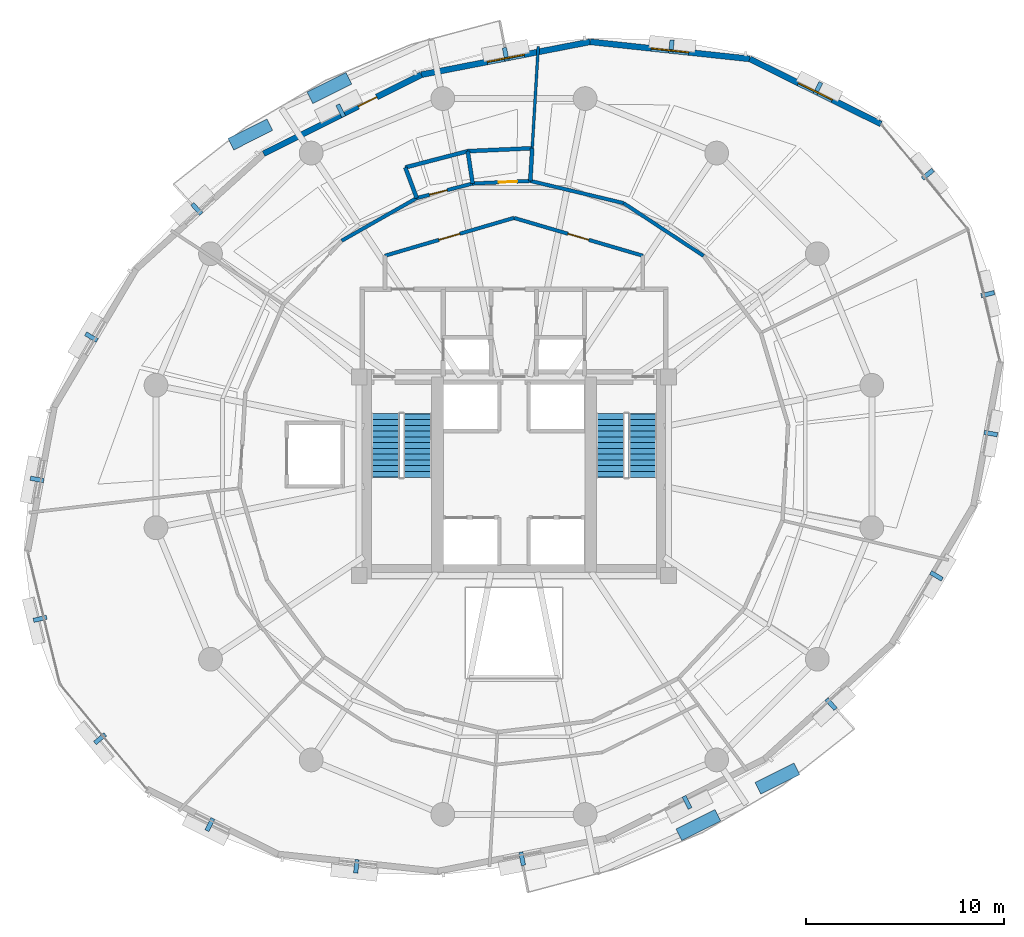
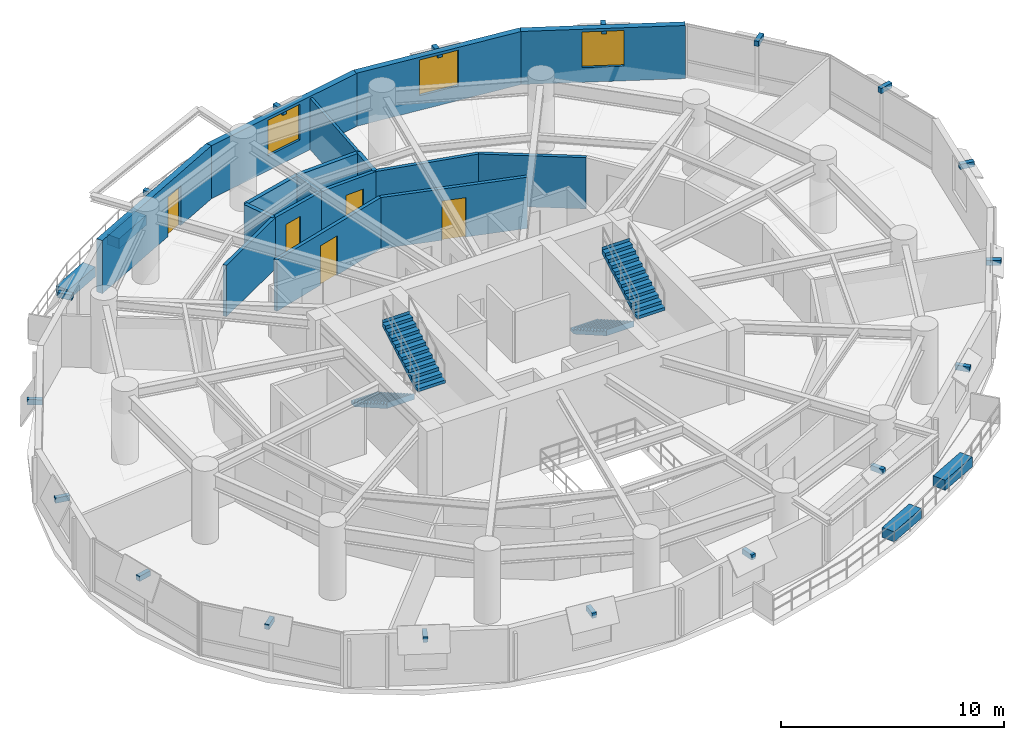
# One storey, part 12 of 14: 22 discrete accessories, 17 walls, 5 doors, 4 stair flights, 3 windows, 8 openings, 2 elements without a shape of their own.
"""IFC4 building model written with IfcOpenShell, lengths in metres."""

from ifc_helpers import new_model, si_unit, direction, frame, frame_2d, origin, origin_2d, place, context, subcontext, project, spatial, polyline, rectangle, outline, extrude, material, layer, layer_set, type_object, element, fill, aggregate, save


model = new_model("IFC4")

# Units and contexts
model_context = context("Model", 3, precision=1e-05, world=origin(), true_north=direction((0.0, 1.0)))
body_context = subcontext(model_context, "Body", "Model", "MODEL_VIEW")
ifc_project = project(units=[si_unit("LENGTHUNIT", "METRE"), si_unit("AREAUNIT", "SQUARE_METRE"), si_unit("VOLUMEUNIT", "CUBIC_METRE"), si_unit("PLANEANGLEUNIT", "RADIAN"), si_unit("MASSUNIT", "GRAM", prefix="KILO"), si_unit("THERMODYNAMICTEMPERATUREUNIT", "KELVIN"), si_unit("POWERUNIT", "WATT")], contexts=[model_context])

# Site, building, storey
site_placement = place(None, origin())
site = spatial("IfcSite", under=ifc_project, at=site_placement, CompositionType="ELEMENT")
building_placement = place(site_placement, origin())
building = spatial("IfcBuilding", under=site, at=building_placement, Name="Ocrelia Relay Tower", CompositionType="ELEMENT")
storey_placement = place(building_placement, frame((0.0, 0.0, 145.800048828125)))
storey = spatial("IfcBuildingStorey", under=building, at=storey_placement, Name="L34", CompositionType="ELEMENT", Elevation=145.800048828125)

# Wall, opening, door
ifc_material_1 = material(Name="Gypsum Fireboard Partition EI60", Category="gypsum")
ifc_layer_1 = layer(ifc_material_1, 0.179931640625, Name="Gypsum Fireboard Partition EI60")
ifc_layer_set_1 = layer_set([ifc_layer_1], Name="Gypsum Fireboard Partition EI60")
wall_type_1 = type_object("IfcWallType", Name="W-CORR-EI60-180", PredefinedType="PARTITIONING", material=ifc_layer_set_1)
wall_1_placement = place(storey_placement, frame((27.5, 36.122802734375, 0.0), z_axis=(0.0, 0.0, 1.0), x_axis=(0.959546654541, 0.281549671923, 0.0)))
wall_1 = element("IfcWall", 1, at=wall_1_placement, inside=storey, type_object=wall_type_1, Name="L34 North Smoke Lobby W Screen Wall", PredefinedType="PARTITIONING", context=body_context, shape_type="SweptSolid", body=[
    extrude(rectangle(XDim=6.77392578125, YDim=0.179931640625, at=frame_2d((3.386962890625, 0.0))), origin(), (0.0, 0.0, 1.0), 2.800048828125),
])
opening_1_placement = place(wall_1_placement, frame((2.8369140625, 0.0, 0.0)))
opening_1 = element("IfcOpeningElement", 2, at=opening_1_placement, cuts=wall_1, Name="Opening D-FD60", PredefinedType="OPENING", context=body_context, shape_type="SweptSolid", body=[
    extrude(rectangle(XDim=1.10009765625, YDim=2.14990234375, at=frame_2d((0.550048828125, 1.074951171875))), frame((0.0, 0.10009765625, 0.0), z_axis=(0.0, -1.0, 0.0), x_axis=(1.0, 0.0, 0.0)), (0.0, 0.0, 1.0), 0.199951171875),
])
ifc_material_2 = material(Name="Timber-core 60-min acoustic fire door", Category="wood")
door_type_1 = type_object("IfcDoorType", Name="DR-LOBBY-FD60-1100", OperationType="NOTDEFINED", PredefinedType="DOOR", material=ifc_material_2)
door_1_placement = place(opening_1_placement, origin())
door_1 = element("IfcDoor", 3, at=door_1_placement, inside=storey, type_object=door_type_1, Name="L34 North Smoke Lobby W Fire Door", OperationType="SINGLE_SWING_RIGHT", OverallHeight=2.14990234375, OverallWidth=1.10009765625, PredefinedType="DOOR", context=body_context, shape_type="SweptSolid", body=[
    extrude(rectangle(XDim=1.10009765625, YDim=2.14990234375, at=frame_2d((0.550048828125, 1.074951171875))), frame((0.0, 0.02490234375, 0.0), z_axis=(0.0, -1.0, 0.0), x_axis=(1.0, 0.0, 0.0)), (0.0, 0.0, 1.0), 0.050048828125),
])
fill(opening_1, door_1)

wall_2_placement = place(storey_placement, frame((34.0, 38.030029296875, 0.0), z_axis=(0.0, 0.0, 1.0), x_axis=(0.959546654541, -0.281549671923, 0.0)))
wall_2 = element("IfcWall", 4, at=wall_2_placement, inside=storey, type_object=wall_type_1, Name="L34 North Smoke Lobby E Screen Wall", PredefinedType="PARTITIONING", context=body_context, shape_type="SweptSolid", body=[
    extrude(rectangle(XDim=6.77392578125, YDim=0.179931640625, at=frame_2d((3.386962890625, 0.0))), origin(), (0.0, 0.0, 1.0), 2.800048828125),
])
opening_2_placement = place(wall_2_placement, frame((2.8369140625, 0.0, 0.0)))
opening_2 = element("IfcOpeningElement", 5, at=opening_2_placement, cuts=wall_2, Name="Opening D-FD60", PredefinedType="OPENING", context=body_context, shape_type="SweptSolid", body=[
    extrude(rectangle(XDim=1.10009765625, YDim=2.14990234375, at=frame_2d((0.550048828125, 1.074951171875))), frame((0.0, 0.10009765625, 0.0), z_axis=(0.0, -1.0, 0.0), x_axis=(1.0, 0.0, 0.0)), (0.0, 0.0, 1.0), 0.199951171875),
])
door_2_placement = place(opening_2_placement, origin())
door_2 = element("IfcDoor", 6, at=door_2_placement, inside=storey, type_object=door_type_1, Name="L34 North Smoke Lobby E Fire Door", OperationType="SINGLE_SWING_LEFT", OverallHeight=2.14990234375, OverallWidth=1.10009765625, PredefinedType="DOOR", context=body_context, shape_type="SweptSolid", body=[
    extrude(rectangle(XDim=1.10009765625, YDim=2.14990234375, at=frame_2d((0.550048828125, 1.074951171875))), frame((0.0, 0.02490234375, 0.0), z_axis=(0.0, -1.0, 0.0), x_axis=(1.0, 0.0, 0.0)), (0.0, 0.0, 1.0), 0.050048828125),
])
fill(opening_2, door_2)

wall_3_placement = place(storey_placement, frame((34.825439453125, 39.8955078125, 0.0), z_axis=(0.0, 0.0, 1.0), x_axis=(-0.998969404953, -0.045388632576, 0.0)))
wall_3 = element("IfcWall", 7, at=wall_3_placement, inside=storey, type_object=wall_type_1, Name="L34 Staff Toilet Corridor Wall", PredefinedType="PARTITIONING", context=body_context, shape_type="SweptSolid", body=[
    extrude(rectangle(XDim=2.909912109375, YDim=0.179931640625, at=frame_2d((1.455078125, 0.0))), origin(), (0.0, 0.0, 1.0), 2.800048828125),
])
opening_3_placement = place(wall_3_placement, frame((0.6689453125, 0.0, 0.0)))
opening_3 = element("IfcOpeningElement", 8, at=opening_3_placement, cuts=wall_3, Name="Opening D-WC92", PredefinedType="OPENING", context=body_context, shape_type="SweptSolid", body=[
    extrude(rectangle(XDim=0.919921875, YDim=2.10009765625, at=frame_2d((0.4599609375, 1.050048828125))), frame((0.0, 0.10009765625, 0.0), z_axis=(0.0, -1.0, 0.0), x_axis=(1.0, 0.0, 0.0)), (0.0, 0.0, 1.0), 0.199951171875),
])
ifc_material_3 = material(Name="Laminate washroom door", Category="wood")
door_type_2 = type_object("IfcDoorType", Name="DR-WC-920", OperationType="NOTDEFINED", PredefinedType="DOOR", material=ifc_material_3)
door_3_placement = place(opening_3_placement, origin())
door_3 = element("IfcDoor", 9, at=door_3_placement, inside=storey, type_object=door_type_2, Name="L34 Staff Toilet Door", OperationType="SINGLE_SWING_RIGHT", OverallHeight=2.10009765625, OverallWidth=0.919921875, PredefinedType="DOOR", context=body_context, shape_type="SweptSolid", body=[
    extrude(rectangle(XDim=0.919921875, YDim=2.10009765625, at=frame_2d((0.4599609375, 1.050048828125))), frame((0.0, 0.02490234375, 0.0), z_axis=(0.0, -1.0, 0.0), x_axis=(1.0, 0.0, 0.0)), (0.0, 0.0, 1.0), 0.050048828125),
])
fill(opening_3, door_3)

wall_4_placement = place(storey_placement, frame((31.91845703125, 39.763427734375, 0.0), z_axis=(0.0, 0.0, 1.0), x_axis=(-0.967701853081, -0.252097448505, 0.0)))
wall_4 = element("IfcWall", 10, at=wall_4_placement, inside=storey, type_object=wall_type_1, Name="L34 Accessible Toilet Corridor Wall", PredefinedType="PARTITIONING", context=body_context, shape_type="SweptSolid", body=[
    extrude(rectangle(XDim=2.91015625, YDim=0.179931640625, at=frame_2d((1.455078125, 0.0))), origin(), (0.0, 0.0, 1.0), 2.800048828125),
])
opening_4_placement = place(wall_4_placement, frame((1.321044921875, 0.0, 0.0)))
opening_4 = element("IfcOpeningElement", 11, at=opening_4_placement, cuts=wall_4, Name="Opening D-WC92", PredefinedType="OPENING", context=body_context, shape_type="SweptSolid", body=[
    extrude(rectangle(XDim=0.919921875, YDim=2.10009765625, at=frame_2d((0.4599609375, 1.050048828125))), frame((0.0, 0.10009765625, 0.0), z_axis=(0.0, -1.0, 0.0), x_axis=(1.0, 0.0, 0.0)), (0.0, 0.0, 1.0), 0.199951171875),
])
door_4_placement = place(opening_4_placement, origin())
door_4 = element("IfcDoor", 12, at=door_4_placement, inside=storey, type_object=door_type_2, Name="L34 Accessible Toilet Door", OperationType="SINGLE_SWING_LEFT", OverallHeight=2.10009765625, OverallWidth=0.919921875, PredefinedType="DOOR", context=body_context, shape_type="SweptSolid", body=[
    extrude(rectangle(XDim=0.919921875, YDim=2.10009765625, at=frame_2d((0.4599609375, 1.050048828125))), frame((0.0, 0.02490234375, 0.0), z_axis=(0.0, -1.0, 0.0), x_axis=(1.0, 0.0, 0.0)), (0.0, 0.0, 1.0), 0.050048828125),
])
fill(opening_4, door_4)

# Walls
wall_5_placement = place(storey_placement, frame((29.102294921875, 39.02978515625, 0.0), z_axis=(0.0, 0.0, 1.0), x_axis=(-0.869516749936, -0.493903453703, 0.0)))
element("IfcWall", 13, at=wall_5_placement, inside=storey, type_object=wall_type_1, Name="L34 Network Engineering Office Corridor Partition 1", PredefinedType="PARTITIONING", context=body_context, shape_type="SweptSolid", body=[
    extrude(rectangle(XDim=4.354736328125, YDim=0.179931640625, at=frame_2d((2.17724609375, 0.0))), origin(), (0.0, 0.0, 1.0), 2.800048828125),
])
wall_6_placement = place(storey_placement, frame((43.564208984375, 36.114013671875, 0.0), z_axis=(0.0, 0.0, 1.0), x_axis=(-0.834852183568, 0.550474187943, 0.0)))
element("IfcWall", 14, at=wall_6_placement, inside=storey, type_object=wall_type_1, Name="L34 Shift Staff Lounge Corridor Partition 2", PredefinedType="PARTITIONING", context=body_context, shape_type="SweptSolid", body=[
    extrude(rectangle(XDim=4.834228515625, YDim=0.179931640625, at=frame_2d((2.4169921875, 0.0))), origin(), (0.0, 0.0, 1.0), 2.800048828125),
])
wall_7_placement = place(storey_placement, frame((39.5283203125, 38.775146484375, 0.0), z_axis=(0.0, 0.0, 1.0), x_axis=(-0.972776947404, 0.231743415441, 0.0)))
element("IfcWall", 15, at=wall_7_placement, inside=storey, type_object=wall_type_1, Name="L34 Shift Staff Lounge Corridor Partition 3", PredefinedType="PARTITIONING", context=body_context, shape_type="SweptSolid", body=[
    extrude(rectangle(XDim=4.83447265625, YDim=0.179931640625, at=frame_2d((2.417236328125, 0.0))), origin(), (0.0, 0.0, 1.0), 2.800048828125),
])

# Wall, opening, window
ifc_material_4 = material(Name="Precast concrete C40/50 with oxide terracotta", Category="masonry")
ifc_layer_2 = layer(ifc_material_4, 0.300048828125, Name="Precast concrete C40/50 with oxide terracotta")
ifc_layer_set_2 = layer_set([ifc_layer_2], Name="Precast concrete C40/50 with oxide terracotta")
wall_type_2 = type_object("IfcWallType", Name="W-EXT-TERR-300", PredefinedType="SOLIDWALL", material=ifc_layer_set_2)
wall_8_placement = place(storey_placement, frame((52.50830078125, 42.765380859375, 0.0), z_axis=(0.0, 0.0, 1.0), x_axis=(-0.895870813497, 0.444314624477, 0.0)))
wall_8 = element("IfcWall", 16, at=wall_8_placement, inside=storey, type_object=wall_type_2, Name="L34 Oxide Terracotta Facade Wall 02", PredefinedType="SOLIDWALL", context=body_context, shape_type="SweptSolid", body=[
    extrude(rectangle(XDim=7.38330078125, YDim=0.300048828125, at=frame_2d((3.691650390625, 0.0))), origin(), (0.0, 0.0, 1.0), 2.89990234375),
])
opening_5_placement = place(wall_8_placement, frame((2.741943359375, 0.0, 0.800048828125)))
opening_5 = element("IfcOpeningElement", 17, at=opening_5_placement, cuts=wall_8, Name="Opening W-06", PredefinedType="OPENING", context=body_context, shape_type="SweptSolid", body=[
    extrude(rectangle(XDim=1.89990234375, YDim=1.949951171875, at=frame_2d((0.949951171875, 0.97509765625))), frame((0.0, 0.16015625, 0.0), z_axis=(0.0, -1.0, 0.0), x_axis=(1.0, 0.0, 0.0)), (0.0, 0.0, 1.0), 0.320068359375),
])
ifc_material_5 = material(Name="Clear double-glazed low-E glass", Category="glass")
window_type = type_object("IfcWindowType", Name="WIN-Z2-1900x2100", PartitioningType="DOUBLE_PANEL_VERTICAL", PredefinedType="WINDOW", material=ifc_material_5)
window_1_placement = place(opening_5_placement, origin())
window_1 = element("IfcWindow", 18, at=window_1_placement, inside=storey, type_object=window_type, Name="L34 Facade Module Window 02", OverallHeight=1.949951171875, OverallWidth=1.89990234375, PartitioningType="SINGLE_PANEL", PredefinedType="WINDOW", context=body_context, shape_type="SweptSolid", body=[
    extrude(rectangle(XDim=1.89990234375, YDim=1.949951171875, at=frame_2d((0.949951171875, 0.97509765625))), frame((0.0, 0.030029296875, 0.0), z_axis=(0.0, -1.0, 0.0), x_axis=(1.0, 0.0, 0.0)), (0.0, 0.0, 1.0), 0.06005859375),
])
fill(opening_5, window_1)

wall_9_placement = place(storey_placement, frame((45.893798828125, 46.0458984375, 0.0), z_axis=(0.0, 0.0, 1.0), x_axis=(-0.994303675946, 0.106584238983, 0.0)))
wall_9 = element("IfcWall", 19, at=wall_9_placement, inside=storey, type_object=wall_type_2, Name="L34 Oxide Terracotta Facade Wall 03", PredefinedType="SOLIDWALL", context=body_context, shape_type="SweptSolid", body=[
    extrude(rectangle(XDim=8.094970703125, YDim=0.300048828125, at=frame_2d((4.04736328125, 0.0))), origin(), (0.0, 0.0, 1.0), 2.89990234375),
])
opening_6_placement = place(wall_9_placement, frame((3.097900390625, 0.0, 0.800048828125)))
opening_6 = element("IfcOpeningElement", 20, at=opening_6_placement, cuts=wall_9, Name="Opening W-06", PredefinedType="OPENING", context=body_context, shape_type="SweptSolid", body=[
    extrude(rectangle(XDim=1.89990234375, YDim=1.949951171875, at=frame_2d((0.949951171875, 0.97509765625))), frame((0.0, 0.16015625, 0.0), z_axis=(0.0, -1.0, 0.0), x_axis=(1.0, 0.0, 0.0)), (0.0, 0.0, 1.0), 0.320068359375),
])
window_2_placement = place(opening_6_placement, origin())
window_2 = element("IfcWindow", 21, at=window_2_placement, inside=storey, type_object=window_type, Name="L34 Facade Module Window 03", OverallHeight=1.949951171875, OverallWidth=1.89990234375, PartitioningType="SINGLE_PANEL", PredefinedType="WINDOW", context=body_context, shape_type="SweptSolid", body=[
    extrude(rectangle(XDim=1.89990234375, YDim=1.949951171875, at=frame_2d((0.949951171875, 0.97509765625))), frame((0.0, 0.030029296875, 0.0), z_axis=(0.0, -1.0, 0.0), x_axis=(1.0, 0.0, 0.0)), (0.0, 0.0, 1.0), 0.06005859375),
])
fill(opening_6, window_2)

wall_10_placement = place(storey_placement, frame((37.844970703125, 46.90869140625, 0.0), z_axis=(0.0, 0.0, 1.0), x_axis=(-0.981531349689, -0.191301358011, 0.0)))
wall_10 = element("IfcWall", 22, at=wall_10_placement, inside=storey, type_object=wall_type_2, Name="L34 Oxide Terracotta Facade Wall 04", PredefinedType="SOLIDWALL", context=body_context, shape_type="SweptSolid", body=[
    extrude(rectangle(XDim=8.673095703125, YDim=0.300048828125, at=frame_2d((4.33642578125, 0.0))), origin(), (0.0, 0.0, 1.0), 2.89990234375),
])
opening_7_placement = place(wall_10_placement, frame((3.385986328125, 0.0, 0.800048828125)))
opening_7 = element("IfcOpeningElement", 23, at=opening_7_placement, cuts=wall_10, Name="Opening W-06", PredefinedType="OPENING", context=body_context, shape_type="SweptSolid", body=[
    extrude(rectangle(XDim=1.89990234375, YDim=1.949951171875, at=frame_2d((0.949951171875, 0.97509765625))), frame((0.0, 0.16015625, 0.0), z_axis=(0.0, -1.0, 0.0), x_axis=(1.0, 0.0, 0.0)), (0.0, 0.0, 1.0), 0.320068359375),
])
window_3_placement = place(opening_7_placement, origin())
window_3 = element("IfcWindow", 24, at=window_3_placement, inside=storey, type_object=window_type, Name="L34 Facade Module Window 04", OverallHeight=1.949951171875, OverallWidth=1.89990234375, PartitioningType="SINGLE_PANEL", PredefinedType="WINDOW", context=body_context, shape_type="SweptSolid", body=[
    extrude(rectangle(XDim=1.89990234375, YDim=1.949951171875, at=frame_2d((0.949951171875, 0.97509765625))), frame((0.0, 0.030029296875, 0.0), z_axis=(0.0, -1.0, 0.0), x_axis=(1.0, 0.0, 0.0)), (0.0, 0.0, 1.0), 0.06005859375),
])
fill(opening_7, window_3)

# Wall, opening, door
wall_11_placement = place(storey_placement, frame((29.33203125, 45.24951171875, 0.0), z_axis=(0.0, 0.0, 1.0), x_axis=(-0.894163416392, -0.447740756227, 0.0)))
wall_11 = element("IfcWall", 25, at=wall_11_placement, inside=storey, type_object=wall_type_2, Name="L34 Oxide Terracotta Facade Wall 05", PredefinedType="SOLIDWALL", context=body_context, shape_type="SweptSolid", body=[
    extrude(rectangle(XDim=8.890625, YDim=0.300048828125, at=frame_2d((4.4453125, 0.0))), origin(), (0.0, 0.0, 1.0), 2.89990234375),
])
opening_8_placement = place(wall_11_placement, frame((2.510009765625, 0.0, 0.0)))
opening_8 = element("IfcOpeningElement", 26, at=opening_8_placement, cuts=wall_11, Name="Opening DB-105", PredefinedType="OPENING", context=body_context, shape_type="SweptSolid", body=[
    extrude(rectangle(XDim=1.050048828125, YDim=2.14990234375, at=frame_2d((0.52490234375, 1.074951171875))), frame((0.0, 0.16015625, 0.0), z_axis=(0.0, -1.0, 0.0), x_axis=(1.0, 0.0, 0.0)), (0.0, 0.0, 1.0), 0.320068359375),
])
ifc_material_6 = material(Name="Thermally broken aluminium and clear glass", Category="aluminium")
door_type_3 = type_object("IfcDoorType", Name="DR-BALC-1050", OperationType="NOTDEFINED", PredefinedType="DOOR", material=ifc_material_6)
door_5_placement = place(opening_8_placement, origin())
door_5 = element("IfcDoor", 27, at=door_5_placement, inside=storey, type_object=door_type_3, Name="L34 Planted Loggia Balcony Door B1", OperationType="SINGLE_SWING_LEFT", OverallHeight=2.14990234375, OverallWidth=1.050048828125, PredefinedType="DOOR", context=body_context, shape_type="SweptSolid", body=[
    extrude(rectangle(XDim=1.050048828125, YDim=2.14990234375, at=frame_2d((0.52490234375, 1.074951171875))), frame((0.0, 0.02490234375, 0.0), z_axis=(0.0, -1.0, 0.0), x_axis=(1.0, 0.0, 0.0)), (0.0, 0.0, 1.0), 0.050048828125),
])
fill(opening_8, door_5)

# Walls
ifc_material_7 = material(Name="Acoustic Fireboard Partition EI60", Category="gypsum")
ifc_layer_3 = layer(ifc_material_7, 0.139892578125, Name="Acoustic Fireboard Partition EI60")
ifc_layer_set_3 = layer_set([ifc_layer_3], Name="Acoustic Fireboard Partition EI60")
wall_type_3 = type_object("IfcWallType", Name="W-PART-140", PredefinedType="PARTITIONING", material=ifc_layer_set_3)
wall_12_placement = place(storey_placement, frame((34.92333984375, 41.54248046875, 0.0), z_axis=(0.0, 0.0, 1.0), x_axis=(0.059296698215, 0.998240402699, 0.0)))
element("IfcWall", 28, at=wall_12_placement, inside=storey, type_object=wall_type_3, Name="L34 Network Engineering Office Radial Partition", PredefinedType="PARTITIONING", context=body_context, shape_type="SweptSolid", body=[
    extrude(rectangle(XDim=5.130126953125, YDim=0.139892578125, at=frame_2d((2.56494140625, 0.0))), origin(), (0.0, 0.0, 1.0), 2.800048828125),
])
ifc_material_8 = material(Name="Moisture-Resistant Fireboard Chase Wall EI60", Category="gypsum")
ifc_layer_4 = layer(ifc_material_8, 0.199951171875, Name="Moisture-Resistant Fireboard Chase Wall EI60")
ifc_layer_set_4 = layer_set([ifc_layer_4], Name="Moisture-Resistant Fireboard Chase Wall EI60")
wall_type_4 = type_object("IfcWallType", Name="W-PLUMB-200", PredefinedType="PLUMBINGWALL", material=ifc_layer_set_4)
wall_13_placement = place(storey_placement, frame((34.825439453125, 39.8955078125, 0.0), z_axis=(0.0, 0.0, 1.0), x_axis=(0.05933789207, 0.998237954881, 0.0)))
element("IfcWall", 29, at=wall_13_placement, inside=storey, type_object=wall_type_4, Name="L34 Staff Toilet Plumbing Radial Wall", PredefinedType="PLUMBINGWALL", context=body_context, shape_type="SweptSolid", body=[
    extrude(rectangle(XDim=1.64990234375, YDim=0.199951171875, at=frame_2d((0.824951171875, 0.0))), origin(), (0.0, 0.0, 1.0), 2.800048828125),
])
wall_14_placement = place(storey_placement, frame((31.91845703125, 39.763427734375, 0.0), z_axis=(0.0, 0.0, 1.0), x_axis=(-0.149577473976, 0.988750008485, 0.0)))
element("IfcWall", 30, at=wall_14_placement, inside=storey, type_object=wall_type_4, Name="L34 Staff Toilet Plumbing Radial Wall", PredefinedType="PLUMBINGWALL", context=body_context, shape_type="SweptSolid", body=[
    extrude(rectangle(XDim=1.650146484375, YDim=0.199951171875, at=frame_2d((0.8251953125, 0.0))), origin(), (0.0, 0.0, 1.0), 2.800048828125),
])
wall_15_placement = place(storey_placement, frame((34.92333984375, 41.54248046875, 0.0), z_axis=(0.0, 0.0, 1.0), x_axis=(-0.998973328689, -0.045302191646, 0.0)))
element("IfcWall", 31, at=wall_15_placement, inside=storey, type_object=wall_type_4, Name="L34 Staff Toilet Back Plumbing Wall", PredefinedType="PLUMBINGWALL", context=body_context, shape_type="SweptSolid", body=[
    extrude(rectangle(XDim=3.255126953125, YDim=0.199951171875, at=frame_2d((1.62744140625, 0.0))), origin(), (0.0, 0.0, 1.0), 2.800048828125),
])
wall_16_placement = place(storey_placement, frame((29.102294921875, 39.02978515625, 0.0), z_axis=(0.0, 0.0, 1.0), x_axis=(-0.351820524228, 0.936067475523, 0.0)))
element("IfcWall", 32, at=wall_16_placement, inside=storey, type_object=wall_type_4, Name="L34 Accessible Toilet Plumbing Radial Wall", PredefinedType="PLUMBINGWALL", context=body_context, shape_type="SweptSolid", body=[
    extrude(rectangle(XDim=1.650146484375, YDim=0.199951171875, at=frame_2d((0.8251953125, 0.0))), origin(), (0.0, 0.0, 1.0), 2.800048828125),
])
wall_17_placement = place(storey_placement, frame((31.671630859375, 41.39501953125, 0.0), z_axis=(0.0, 0.0, 1.0), x_axis=(-0.967704034171, -0.252089076023, 0.0)))
element("IfcWall", 33, at=wall_17_placement, inside=storey, type_object=wall_type_4, Name="L34 Accessible Toilet Back Plumbing Wall", PredefinedType="PLUMBINGWALL", context=body_context, shape_type="SweptSolid", body=[
    extrude(rectangle(XDim=3.255126953125, YDim=0.199951171875, at=frame_2d((1.62744140625, 0.0))), origin(), (0.0, 0.0, 1.0), 2.800048828125),
])

# Stair, stair flights
ifc_material_9 = material(Name="Concrete C50/60", Category="concrete")
stair_type = type_object("IfcStairType", Name="ST-DL-1420-R167", PredefinedType="HALF_TURN_STAIR", material=ifc_material_9)
stair_1_placement = place(storey_placement, origin())
stair_1 = element("IfcStair", 34, at=stair_1_placement, inside=storey, type_object=stair_type, Name="L34 West Core Exit Stair ST1", PredefinedType="HALF_TURN_STAIR")
stair_flight_type = type_object("IfcStairFlightType", Name="STF-DL-1420-R167", PredefinedType="STRAIGHT", material=ifc_material_9)
stair_flight_1_placement = place(storey_placement, frame((27.52001953125, 28.14990234375, 0.0), z_axis=(0.0, 0.0, 1.0), x_axis=(0.0, -1.0, 0.0)))
stair_flight_1 = element("IfcStairFlight", 35, at=stair_flight_1_placement, type_object=stair_flight_type, Name="ST1 flight 1", NumberOfRisers=12, NumberOfTreads=11, PredefinedType="STRAIGHT", RiserHeight=0.166666667, TreadLength=0.29, context=body_context, shape_type="SweptSolid", body=[
    extrude(outline(polyline([(-0.008056640625, 0.0), (-0.008056640625, 0.166748046875), (0.0, 0.166748046875), (0.2900390625, 0.166748046875), (0.2900390625, 0.333251953125), (0.580078125, 0.333251953125), (0.580078125, 0.5), (0.8701171875, 0.5), (0.8701171875, 0.666748046875), (1.159912109375, 0.666748046875), (1.159912109375, 0.833251953125), (1.449951171875, 0.833251953125), (1.449951171875, 1.0), (1.739990234375, 1.0), (1.739990234375, 1.166748046875), (2.030029296875, 1.166748046875), (2.030029296875, 1.333251953125), (2.320068359375, 1.333251953125), (2.320068359375, 1.5), (2.610107421875, 1.5), (2.610107421875, 1.666748046875), (2.89990234375, 1.666748046875), (2.89990234375, 1.833251953125), (3.18994140625, 1.833251953125), (3.18994140625, 2.0), (3.197998046875, 2.0), (3.197998046875, 1.660400390625), (0.30078125, 0.0), (-0.008056640625, 0.0)])), frame((0.0, 0.7099609375, 0.0), z_axis=(0.0, -1.0, 0.0), x_axis=(1.0, 0.0, 0.0)), (0.0, 0.0, 1.0), 1.419921875),
])
stair_flight_2_placement = place(storey_placement, frame((29.139892578125, 24.9599609375, 2.0), z_axis=(0.0, 0.0, 1.0), x_axis=(0.0, 1.0, 0.0)))
stair_flight_2 = element("IfcStairFlight", 36, at=stair_flight_2_placement, type_object=stair_flight_type, Name="ST1 flight 2", NumberOfRisers=12, NumberOfTreads=11, PredefinedType="STRAIGHT", RiserHeight=0.166666667, TreadLength=0.29, context=body_context, shape_type="SweptSolid", body=[
    extrude(outline(polyline([(-0.008056640625, 0.0), (-0.008056640625, 0.166748046875), (0.0, 0.166748046875), (0.2900390625, 0.166748046875), (0.2900390625, 0.333251953125), (0.580078125, 0.333251953125), (0.580078125, 0.5), (0.8701171875, 0.5), (0.8701171875, 0.666748046875), (1.159912109375, 0.666748046875), (1.159912109375, 0.833251953125), (1.449951171875, 0.833251953125), (1.449951171875, 1.0), (1.739990234375, 1.0), (1.739990234375, 1.166748046875), (2.030029296875, 1.166748046875), (2.030029296875, 1.333251953125), (2.320068359375, 1.333251953125), (2.320068359375, 1.5), (2.610107421875, 1.5), (2.610107421875, 1.666748046875), (2.89990234375, 1.666748046875), (2.89990234375, 1.833251953125), (3.18994140625, 1.833251953125), (3.18994140625, 2.0), (3.197998046875, 2.0), (3.197998046875, 1.660400390625), (0.30078125, 0.0), (-0.008056640625, 0.0)])), frame((0.0, 0.7099609375, 0.0), z_axis=(0.0, -1.0, 0.0), x_axis=(1.0, 0.0, 0.0)), (0.0, 0.0, 1.0), 1.419921875),
])
aggregate(stair_1, [stair_flight_1, stair_flight_2])

stair_2_placement = place(storey_placement, origin())
stair_2 = element("IfcStair", 37, at=stair_2_placement, inside=storey, type_object=stair_type, Name="L34 East Core Exit Stair ST2", PredefinedType="HALF_TURN_STAIR")
stair_flight_3_placement = place(storey_placement, frame((38.8701171875, 28.14990234375, 0.0), z_axis=(0.0, 0.0, 1.0), x_axis=(0.0, -1.0, 0.0)))
stair_flight_3 = element("IfcStairFlight", 38, at=stair_flight_3_placement, type_object=stair_flight_type, Name="ST2 flight 1", NumberOfRisers=12, NumberOfTreads=11, PredefinedType="STRAIGHT", RiserHeight=0.166666667, TreadLength=0.29, context=body_context, shape_type="SweptSolid", body=[
    extrude(outline(polyline([(-0.008056640625, 0.0), (-0.008056640625, 0.166748046875), (0.0, 0.166748046875), (0.2900390625, 0.166748046875), (0.2900390625, 0.333251953125), (0.580078125, 0.333251953125), (0.580078125, 0.5), (0.8701171875, 0.5), (0.8701171875, 0.666748046875), (1.159912109375, 0.666748046875), (1.159912109375, 0.833251953125), (1.449951171875, 0.833251953125), (1.449951171875, 1.0), (1.739990234375, 1.0), (1.739990234375, 1.166748046875), (2.030029296875, 1.166748046875), (2.030029296875, 1.333251953125), (2.320068359375, 1.333251953125), (2.320068359375, 1.5), (2.610107421875, 1.5), (2.610107421875, 1.666748046875), (2.89990234375, 1.666748046875), (2.89990234375, 1.833251953125), (3.18994140625, 1.833251953125), (3.18994140625, 2.0), (3.197998046875, 2.0), (3.197998046875, 1.660400390625), (0.30078125, 0.0), (-0.008056640625, 0.0)])), frame((0.0, 0.7099609375, 0.0), z_axis=(0.0, -1.0, 0.0), x_axis=(1.0, 0.0, 0.0)), (0.0, 0.0, 1.0), 1.419921875),
])
stair_flight_4_placement = place(storey_placement, frame((40.489990234375, 24.9599609375, 2.0), z_axis=(0.0, 0.0, 1.0), x_axis=(0.0, 1.0, 0.0)))
stair_flight_4 = element("IfcStairFlight", 39, at=stair_flight_4_placement, type_object=stair_flight_type, Name="ST2 flight 2", NumberOfRisers=12, NumberOfTreads=11, PredefinedType="STRAIGHT", RiserHeight=0.166666667, TreadLength=0.29, context=body_context, shape_type="SweptSolid", body=[
    extrude(outline(polyline([(-0.008056640625, 0.0), (-0.008056640625, 0.166748046875), (0.0, 0.166748046875), (0.2900390625, 0.166748046875), (0.2900390625, 0.333251953125), (0.580078125, 0.333251953125), (0.580078125, 0.5), (0.8701171875, 0.5), (0.8701171875, 0.666748046875), (1.159912109375, 0.666748046875), (1.159912109375, 0.833251953125), (1.449951171875, 0.833251953125), (1.449951171875, 1.0), (1.739990234375, 1.0), (1.739990234375, 1.166748046875), (2.030029296875, 1.166748046875), (2.030029296875, 1.333251953125), (2.320068359375, 1.333251953125), (2.320068359375, 1.5), (2.610107421875, 1.5), (2.610107421875, 1.666748046875), (2.89990234375, 1.666748046875), (2.89990234375, 1.833251953125), (3.18994140625, 1.833251953125), (3.18994140625, 2.0), (3.197998046875, 2.0), (3.197998046875, 1.660400390625), (0.30078125, 0.0), (-0.008056640625, 0.0)])), frame((0.0, 0.7099609375, 0.0), z_axis=(0.0, -1.0, 0.0), x_axis=(1.0, 0.0, 0.0)), (0.0, 0.0, 1.0), 1.419921875),
])
aggregate(stair_2, [stair_flight_3, stair_flight_4])

# Discrete accessories
ifc_material_10 = material(Name="Precast concrete C40/50 planter with highland greenery", Category="concrete")
discrete_accessory_type_1 = type_object("IfcDiscreteAccessoryType", Name="ACC-BALC-PLANTER", PredefinedType="USERDEFINED", material=ifc_material_10)
for number, where, z_axis, x_axis, name in (
    (40, (24.69677734375, 44.578369140625, 0.0), (0.0, 0.0, 1.0), (0.89415517123, 0.447757221899, 0.0), "L34 Balcony Terracotta Planter with Greenery B1"),
    (41, (20.7119140625, 42.236328125, 0.0), (0.0, 0.0, 1.0), (0.89415517123, 0.447757221899, 0.0), "L34 Balcony Terracotta Planter B1-2"),
    (42, (43.30322265625, 7.421630859375, 0.0), (0.0, 0.0, 1.0), (-0.89415517123, -0.447757221899, 0.0), "L34 Balcony Terracotta Planter with Greenery B2"),
    (43, (47.2880859375, 9.763671875, 0.0), (0.0, 0.0, 1.0), (-0.89415517123, -0.447757221899, 0.0), "L34 Balcony Terracotta Planter B2-2"),
):
    element("IfcDiscreteAccessory", number, at=place(storey_placement, frame(where, z_axis=z_axis, x_axis=x_axis)), inside=storey, type_object=discrete_accessory_type_1, Name=name, ObjectType="PLANTER", PredefinedType="USERDEFINED", context=body_context, shape_type="SweptSolid", body=[
        extrude(rectangle(XDim=2.199951171875, YDim=0.64990234375, at=origin_2d()), origin(), (0.0, 0.0, 1.0), 0.550048828125),
    ])
ifc_material_11 = material(Name="Steel S355", Category="steel")
discrete_accessory_type_2 = type_object("IfcDiscreteAccessoryType", Name="ACC-VISOR-BRACKET", PredefinedType="BRACKET", material=ifc_material_11)
for number, where, z_axis, x_axis, name in (
    (44, (54.864501953125, 40.226806640625, 2.60009765625), (0.0, 0.0, 1.0), (-0.637004659062, 0.77085995118, 0.0), "L34 Visor Mounting Bracket 01"),
    (45, (49.32861328125, 44.559814453125, 2.60009765625), (0.0, 0.0, 1.0), (-0.895863643789, 0.444329080455, 0.0), "L34 Visor Mounting Bracket 02"),
    (46, (41.941162109375, 46.6640625, 2.60009765625), (0.0, 0.0, 1.0), (-0.994303825095, 0.106582847596, 0.0), "L34 Visor Mounting Bracket 03"),
    (47, (33.58447265625, 46.279296875, 2.60009765625), (0.0, 0.0, 1.0), (-0.981530321483, -0.191306633471, 0.0), "L34 Visor Mounting Bracket 04"),
    (48, (25.267578125, 43.43798828125, 2.60009765625), (0.0, 0.0, 1.0), (-0.894154832082, -0.447757899165, 0.0), "L34 Visor Mounting Bracket 05"),
    (49, (18.0107421875, 38.48046875, 2.60009765625), (0.0, 0.0, 1.0), (-0.741140940213, -0.671349466925, 0.0), "L34 Visor Mounting Bracket 06"),
    (50, (12.69677734375, 32.01953125, 2.60009765625), (0.0, 0.0, 1.0), (-0.510271295051, -0.860013491433, 0.0), "L34 Visor Mounting Bracket 07"),
    (51, (9.956298828125, 24.84375, 2.60009765625), (0.0, 0.0, 1.0), (-0.180855268319, -0.983509721315, 0.0), "L34 Visor Mounting Bracket 08"),
    (52, (10.10986328125, 17.815185546875, 2.60009765625), (0.0, 0.0, 1.0), (0.235671587189, -0.97183275464, 0.0), "L34 Visor Mounting Bracket 09"),
    (53, (13.135498046875, 11.773193359375, 2.60009765625), (0.0, 0.0, 1.0), (0.637004659062, -0.77085995118, 0.0), "L34 Visor Mounting Bracket 10"),
    (54, (18.67138671875, 7.440185546875, 2.60009765625), (0.0, 0.0, 1.0), (0.895863643789, -0.444329080455, 0.0), "L34 Visor Mounting Bracket 11"),
    (55, (26.058837890625, 5.3359375, 2.60009765625), (0.0, 0.0, 1.0), (0.994303825095, -0.106582847596, 0.0), "L34 Visor Mounting Bracket 12"),
    (56, (34.41552734375, 5.720703125, 2.60009765625), (0.0, 0.0, 1.0), (0.981530321483, 0.191306633471, 0.0), "L34 Visor Mounting Bracket 13"),
    (57, (42.732421875, 8.56201171875, 2.60009765625), (0.0, 0.0, 1.0), (0.894154832082, 0.447757899165, 0.0), "L34 Visor Mounting Bracket 14"),
    (58, (49.9892578125, 13.51953125, 2.60009765625), (0.0, 0.0, 1.0), (0.741140940213, 0.671349466925, 0.0), "L34 Visor Mounting Bracket 15"),
    (59, (55.30322265625, 19.98046875, 2.60009765625), (0.0, 0.0, 1.0), (0.510271295051, 0.860013491433, 0.0), "L34 Visor Mounting Bracket 16"),
    (60, (58.043701171875, 27.15625, 2.60009765625), (0.0, 0.0, 1.0), (0.180855268319, 0.983509721315, 0.0), "L34 Visor Mounting Bracket 17"),
    (61, (57.89013671875, 34.184814453125, 2.60009765625), (0.0, 0.0, 1.0), (-0.235671587189, 0.97183275464, 0.0), "L34 Visor Mounting Bracket 18"),
):
    element("IfcDiscreteAccessory", number, at=place(storey_placement, frame(where, z_axis=z_axis, x_axis=x_axis)), inside=storey, type_object=discrete_accessory_type_2, Name=name, PredefinedType="BRACKET", context=body_context, shape_type="SweptSolid", body=[
        extrude(rectangle(XDim=0.219970703125, YDim=0.679931640625, at=origin_2d()), origin(), (0.0, 0.0, 1.0), 0.280029296875),
    ])

save(model, "model.ifc")
